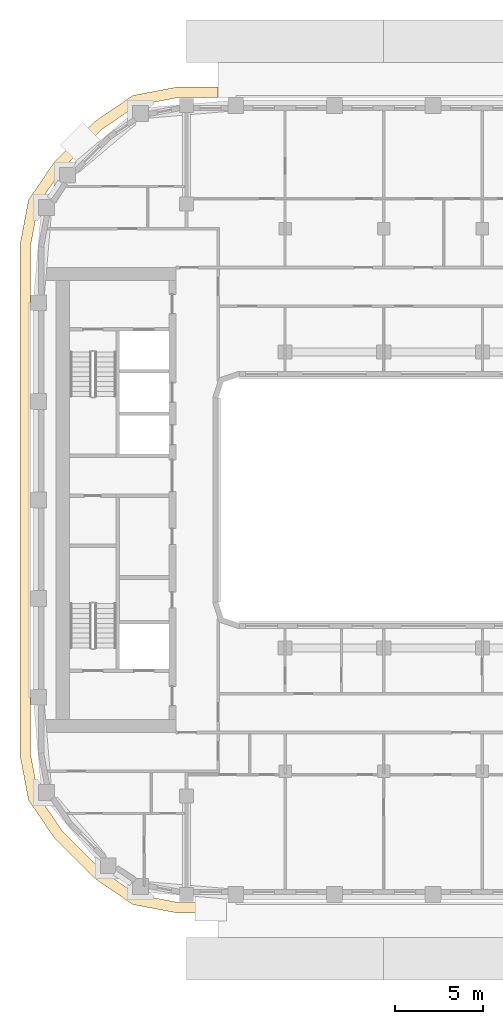
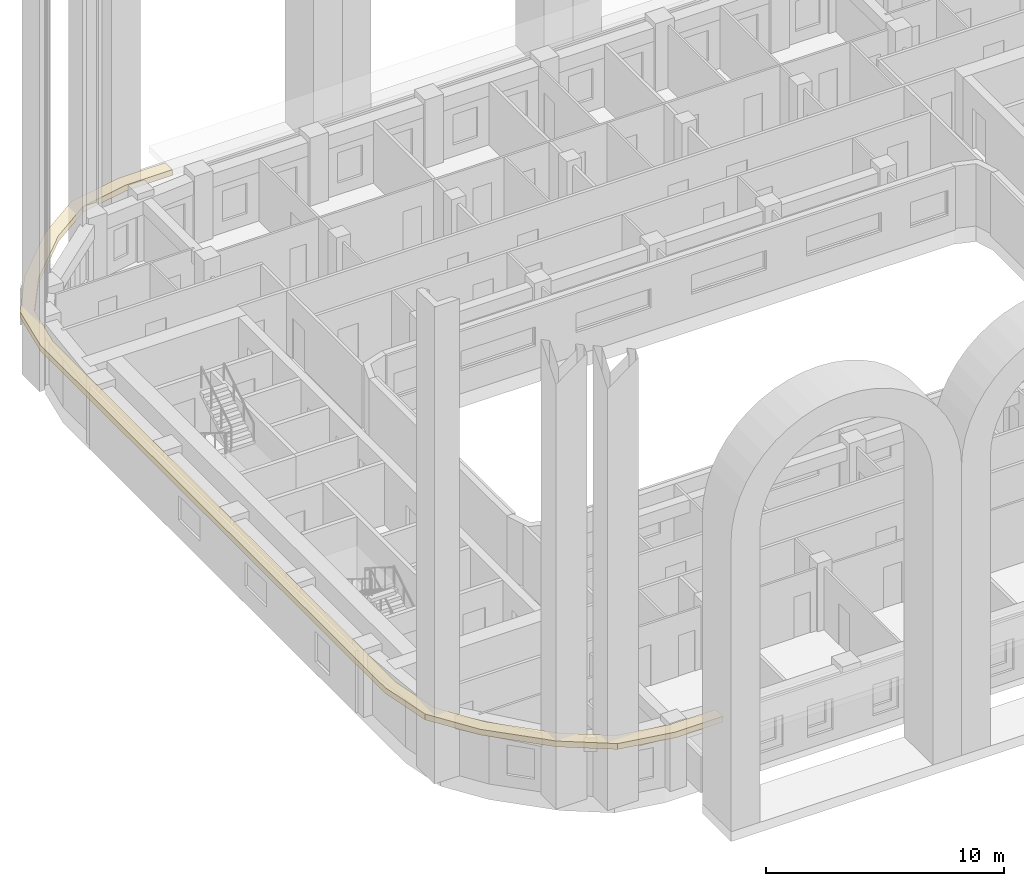
# One storey, part 13 of 20: 1 covering.
"""IFC4 building model written with IfcOpenShell, lengths in metres."""

from ifc_helpers import new_model, si_unit, direction, frame, origin, place, context, subcontext, project, spatial, polyline, outline, extrude, material, layer, layer_set, type_object, element, save


model = new_model("IFC4")

# Units and contexts
model_context = context("Model", 3, precision=1e-05, world=origin(), true_north=direction((0.0, 1.0)))
body_context = subcontext(model_context, "Body", "Model", "MODEL_VIEW")
ifc_project = project(units=[si_unit("LENGTHUNIT", "METRE"), si_unit("AREAUNIT", "SQUARE_METRE"), si_unit("VOLUMEUNIT", "CUBIC_METRE"), si_unit("PLANEANGLEUNIT", "RADIAN"), si_unit("MASSUNIT", "GRAM", prefix="KILO")], contexts=[model_context])

# Site, building, storey
site_placement = place(None, origin())
site = spatial("IfcSite", under=ifc_project, at=site_placement, CompositionType="ELEMENT")
building_placement = place(site_placement, origin())
building = spatial("IfcBuilding", under=site, at=building_placement, Name="Kiln Ring Residences", CompositionType="ELEMENT")
storey_placement = place(building_placement, frame((0.0, 0.0, 188.89990234375)))
storey = spatial("IfcBuildingStorey", under=building, at=storey_placement, Name="L48", CompositionType="ELEMENT", Elevation=188.89990234375)

# Covering
ifc_material = material(Name="Black powder-coated steel", Category="steel")
ifc_layer = layer(ifc_material, 0.300048828125)
ifc_layer_set = layer_set([ifc_layer], Name="SUNSHADE FIN 600")
covering_type = type_object("IfcCoveringType", Name="SUNSHADE FIN 600", PredefinedType="CLADDING", material=ifc_layer_set)
covering_placement = place(storey_placement, frame((0.0, 0.0, 3.2001953125)))
element("IfcCovering", 1, at=covering_placement, inside=storey, type_object=covering_type, Name="SUNSHADE FIN L48", PredefinedType="CLADDING", context=body_context, shape_type="SweptSolid", body=[
    extrude(outline(polyline([(-26.25, -14.499267578125), (-25.766357421875, -17.03466796875), (-24.315673828125, -19.169189453125), (-21.96923828125, -21.515625), (-19.834716796875, -22.96630859375), (-17.29931640625, -23.449951171875), (-15.0, -23.449951171875), (-15.0, -22.85009765625), (-17.242431640625, -22.85009765625), (-19.60009765625, -22.400390625), (-21.585205078125, -21.05126953125), (-23.851318359375, -18.78515625), (-25.2001953125, -16.800048828125), (-25.64990234375, -14.4423828125), (-25.64990234375, 14.4423828125), (-25.2001953125, 16.800048828125), (-23.851318359375, 18.78515625), (-21.585205078125, 21.05126953125), (-19.60009765625, 22.400390625), (-17.242431640625, 22.85009765625), (-15.0, 22.85009765625), (-15.0, 23.449951171875), (-17.29931640625, 23.449951171875), (-19.834716796875, 22.96630859375), (-21.96923828125, 21.515625), (-24.315673828125, 19.169189453125), (-25.766357421875, 17.03466796875), (-26.25, 14.499267578125), (-26.25, -14.499267578125)])), origin(), (0.0, 0.0, 1.0), 0.2998046875),
])

save(model, "model.ifc")
